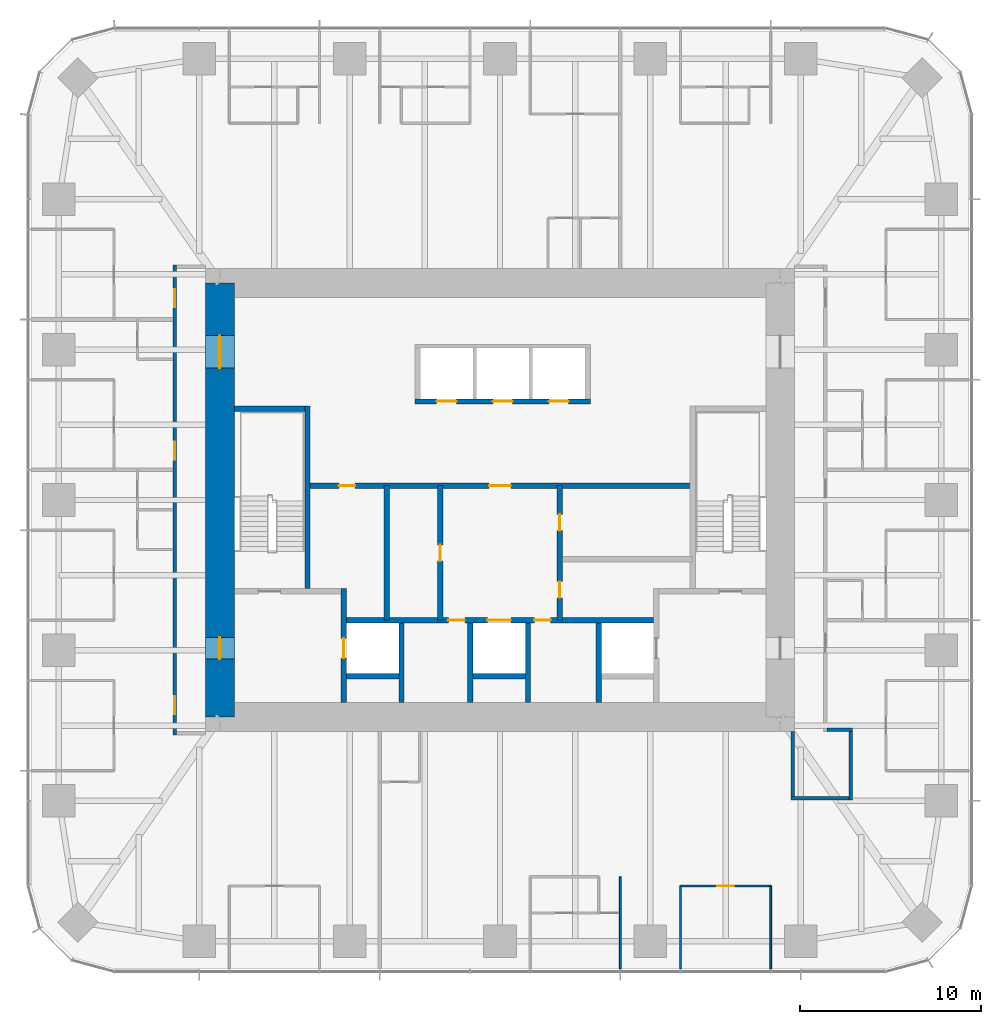
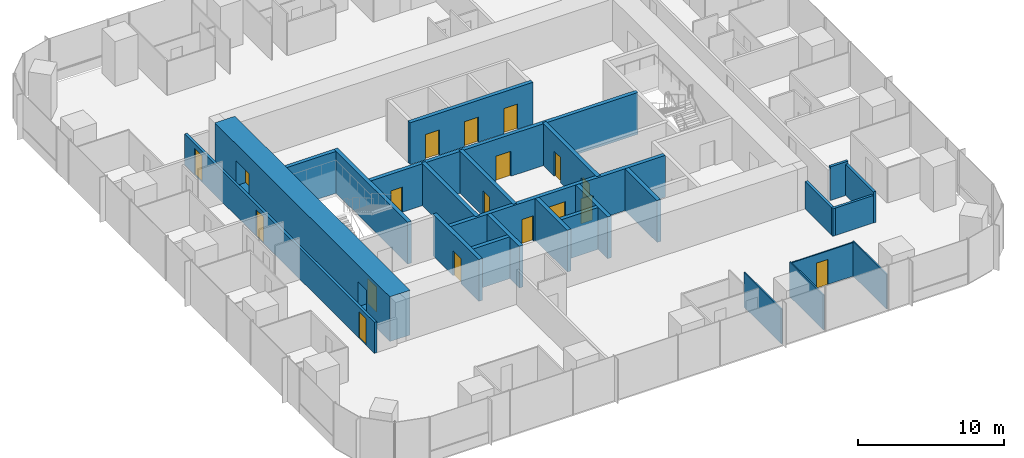
# One storey, part 9 of 12: 25 walls, 18 doors, 18 openings.
"""IFC4 building model written with IfcOpenShell, lengths in metres."""

import ifcopenshell
import ifcopenshell.guid

model = None  # the IFC model being written
_history = None  # IfcOwnerHistory: only IFC2X3 demands one
_inside = {}  # id of a spatial element -> (the spatial element, [elements in it])
_under = {}  # id of a project, library or spatial element -> (it, [spatial elements below it])
_declared = {}  # id of a project -> (the project, [libraries it declares])
_typed = {}  # id of a type object -> (the type object, [elements of that type])
_made_of = {}  # id of a material, layer set ... -> (it, [elements and type objects made of it])


def new_model(schema):
    """Start an empty IFC model of exactly this schema.

    Asked for "IFC4X3", IfcOpenShell would pick the latest addendum, in which some entities
    have other attributes; the version numbers below select the first issue.
    IFC2X3 requires an IfcOwnerHistory on every rooted entity: one is made here for all.
    """
    global model, _history
    if schema == "IFC4X3":
        model = ifcopenshell.file(schema_version=(4, 3, 0, 0))
    else:
        model = ifcopenshell.file(schema=schema)
    _inside.clear()
    _under.clear()
    _declared.clear()
    _typed.clear()
    _made_of.clear()
    _history = None
    if model.schema == "IFC2X3":
        org = make("IfcOrganization", Name="unknown")
        user = make(
            "IfcPersonAndOrganization",
            ThePerson=make("IfcPerson", FamilyName="unknown"),
            TheOrganization=org,
        )
        app = make(
            "IfcApplication",
            ApplicationDeveloper=org,
            Version="unknown",
            ApplicationFullName="unknown",
            ApplicationIdentifier="unknown",
        )
        _history = make(
            "IfcOwnerHistory",
            OwningUser=user,
            OwningApplication=app,
            ChangeAction="ADDED",
            CreationDate=0,
        )
    return model


def make(cls, **values):
    """One entity of the class cls with the attributes given. An attribute that is None is left unset."""
    return model.create_entity(
        cls, **{name: value for name, value in values.items() if value is not None}
    )


def rooted(cls, **values):
    """An entity with a GlobalId (a new one), such as an element, a storey or a relation."""
    return make(cls, GlobalId=ifcopenshell.guid.new(), OwnerHistory=_history, **values)


def si_unit(unit_type, name, prefix=None):
    """IfcSIUnit, for example si_unit("LENGTHUNIT", "METRE", prefix="MILLI")."""
    return make("IfcSIUnit", UnitType=unit_type, Prefix=prefix, Name=name)


def assignment(units):
    """IfcUnitAssignment: the units of a project."""
    return None if units is None else make("IfcUnitAssignment", Units=units)


def point(xyz):
    """IfcCartesianPoint."""
    return None if xyz is None else make("IfcCartesianPoint", Coordinates=xyz)


def direction(xyz):
    """IfcDirection."""
    return None if xyz is None else make("IfcDirection", DirectionRatios=xyz)


def frame(location, z_axis=None, x_axis=None):
    """IfcAxis2Placement3D, a coordinate frame: its origin and axes. An axis left out is left unset."""
    return make(
        "IfcAxis2Placement3D",
        Location=point(location),
        Axis=direction(z_axis),
        RefDirection=direction(x_axis),
    )


def frame_2d(location, x_axis=None):
    """IfcAxis2Placement2D, a coordinate frame in the plane: its origin and x axis."""
    return make(
        "IfcAxis2Placement2D", Location=point(location), RefDirection=direction(x_axis)
    )


def origin():
    """The frame at (0, 0, 0) with its axes left unset."""
    return frame((0.0, 0.0, 0.0))


def place(relative_to, where):
    """IfcLocalPlacement: puts the frame where relative to a parent placement (None: the world)."""
    return make(
        "IfcLocalPlacement", PlacementRelTo=relative_to, RelativePlacement=where
    )


def context(
    kind, dimensions, precision=None, world=None, true_north=None, identifier=None
):
    """IfcGeometricRepresentationContext, for example the 3D "Model" context."""
    return make(
        "IfcGeometricRepresentationContext",
        ContextIdentifier=identifier,
        ContextType=kind,
        CoordinateSpaceDimension=dimensions,
        Precision=precision,
        WorldCoordinateSystem=world,
        TrueNorth=true_north,
    )


def subcontext(parent, identifier, kind, view, scale=None):
    """IfcGeometricRepresentationSubContext, for example "Body" below "Model"."""
    return make(
        "IfcGeometricRepresentationSubContext",
        ContextIdentifier=identifier,
        ContextType=kind,
        ParentContext=parent,
        TargetScale=scale,
        TargetView=view,
    )


def project(units=None, contexts=None):
    """IfcProject with its units and contexts."""
    return rooted(
        "IfcProject",
        Name="project",
        RepresentationContexts=contexts,
        UnitsInContext=assignment(units),
    )


def spatial(cls, under=None, at=None, **own):
    """A site, building, storey or space (cls), placed at a placement, below another one or the project."""
    s = rooted(cls, ObjectPlacement=at, **own)
    if under is not None:
        _under.setdefault(under.id(), (under, []))[1].append(s)
    return s


def profile(cls, at=None, kind="AREA", **sizes):
    """A parametric profile (cls). Its sizes go by their IFC names, for example OverallWidth=200.0."""
    return make(cls, ProfileType=kind, Position=at, **sizes)


def rectangle(**sizes):
    """IfcRectangleProfileDef."""
    return profile("IfcRectangleProfileDef", **sizes)


def extrude(swept, where, along, depth):
    """IfcExtrudedAreaSolid: the profile swept, set in the frame where, extruded along a direction by depth."""
    return make(
        "IfcExtrudedAreaSolid",
        SweptArea=swept,
        Position=where,
        ExtrudedDirection=direction(along),
        Depth=depth,
    )


def shape(context_of_items, identifier, shape_type, items):
    """IfcShapeRepresentation: the items that make up one representation, for example the "Body"."""
    return make(
        "IfcShapeRepresentation",
        ContextOfItems=context_of_items,
        RepresentationIdentifier=identifier,
        RepresentationType=shape_type,
        Items=items,
    )


def material(Name=None, Category=None):
    """IfcMaterial."""
    return make("IfcMaterial", Name=Name, Category=Category)


def layer(
    of_material, thickness, ventilated=None, Name=None, Category=None, Priority=None
):
    """IfcMaterialLayer: one layer of a wall or slab, of a material (None: an air gap)."""
    return make(
        "IfcMaterialLayer",
        Material=of_material,
        LayerThickness=thickness,
        IsVentilated=ventilated,
        Name=Name,
        Category=Category,
        Priority=Priority,
    )


def layer_set(layers, Name=None):
    """IfcMaterialLayerSet."""
    return make("IfcMaterialLayerSet", MaterialLayers=layers, LayerSetName=Name)


def made_of(thing, what):
    """Note that an element or type object is made of a material, layer set ...; save() writes the relation."""
    if what is not None:
        _made_of.setdefault(what.id(), (what, []))[1].append(thing)
    return thing


def type_object(cls, material=None, **own):
    """A type object (cls), such as IfcWallType, which elements share."""
    return made_of(rooted(cls, **own), material)


def element(
    cls,
    number,
    at=None,
    inside=None,
    cuts=None,
    type_object=None,
    material=None,
    context=None,
    identifier="Body",
    shape_type=None,
    held_by="IfcProductDefinitionShape",
    body=None,
    shapes=None,
    **own,
):
    """One element of the class cls, such as IfcWall. Its Tag is "e" and its number.

    at: its placement. inside: the storey or other place that contains it. cuts: it is an
    opening in that element (IfcRelVoidsElement). A single representation is given by context,
    identifier, shape_type and body (its items); several are given by shapes. held_by: the class
    of the entity that holds the representations. save() writes the other relations.
    """
    e = rooted(cls, Tag="e%d" % number, ObjectPlacement=at, **own)
    if body is not None:
        shapes = [shape(context, identifier, shape_type, body)]
    if shapes is not None:
        e.Representation = make(held_by, Representations=shapes)
    if inside is not None:
        _inside.setdefault(inside.id(), (inside, []))[1].append(e)
    if cuts is not None:
        rooted(
            "IfcRelVoidsElement", RelatingBuildingElement=cuts, RelatedOpeningElement=e
        )
    if type_object is not None:
        _typed.setdefault(type_object.id(), (type_object, []))[1].append(e)
    return made_of(e, material)


def fill(opening, filler):
    """IfcRelFillsElement: the door or window that sits in an opening."""
    return rooted(
        "IfcRelFillsElement",
        RelatingOpeningElement=opening,
        RelatedBuildingElement=filler,
    )


def aggregate(whole, parts):
    """IfcRelAggregates: a whole, such as a stair, and the parts it consists of."""
    return rooted("IfcRelAggregates", RelatingObject=whole, RelatedObjects=parts)


def save(model, path):
    """Write the relations noted so far, then the file.

    IfcRelAggregates (storeys below a building ...), IfcRelContainedInSpatialStructure (elements
    in a storey), IfcRelDefinesByType, IfcRelAssociatesMaterial and IfcRelDeclares: one each for
    every whole, place, type object, material and project.
    """
    for whole, parts in _under.values():
        aggregate(whole, parts)
    for where, things in _inside.values():
        rooted(
            "IfcRelContainedInSpatialStructure",
            RelatedElements=things,
            RelatingStructure=where,
        )
    for kind, things in _typed.values():
        rooted("IfcRelDefinesByType", RelatedObjects=things, RelatingType=kind)
    for what, things in _made_of.values():
        rooted("IfcRelAssociatesMaterial", RelatedObjects=things, RelatingMaterial=what)
    for by, libraries in _declared.values():
        rooted("IfcRelDeclares", RelatingContext=by, RelatedDefinitions=libraries)
    model.write(path)


model = new_model("IFC4")

# Units and contexts
model_context = context("Model", 3, precision=1e-05, world=origin(), true_north=direction((0.0, 1.0)))
body_context = subcontext(model_context, "Body", "Model", "MODEL_VIEW")
ifc_project = project(units=[si_unit("LENGTHUNIT", "METRE"), si_unit("AREAUNIT", "SQUARE_METRE"), si_unit("VOLUMEUNIT", "CUBIC_METRE"), si_unit("PLANEANGLEUNIT", "RADIAN"), si_unit("MASSUNIT", "GRAM", prefix="KILO")], contexts=[model_context])

# Site, building, storey
site_placement = place(None, origin())
site = spatial("IfcSite", under=ifc_project, at=site_placement, CompositionType="ELEMENT")
building_placement = place(site_placement, origin())
building = spatial("IfcBuilding", under=site, at=building_placement, Name="Khuree Lantern Residences", CompositionType="ELEMENT")
storey_placement = place(building_placement, frame((0.0, 0.0, 237.0)))
storey = spatial("IfcBuildingStorey", under=building, at=storey_placement, Name="L59", CompositionType="ELEMENT", Elevation=237.0)

# Wall, opening, door
ifc_material_1 = material(Name="Dense concrete blockwork", Category="masonry")
ifc_layer_1 = layer(ifc_material_1, 0.300048828125)
ifc_layer_set_1 = layer_set([ifc_layer_1], Name="CORE PARTITION WALL CPW300 EI 120")
wall_type_1 = type_object("IfcWallType", Name="CORE PARTITION WALL CPW300 EI 120", PredefinedType="PARTITIONING", material=ifc_layer_set_1)
wall_1_placement = place(storey_placement, frame((-8.64990234375, -11.199951171875, 0.0), z_axis=(0.0, 0.0, 1.0), x_axis=(0.0, 1.0, 0.0)))
wall_1 = element("IfcWall", 1, at=wall_1_placement, inside=storey, type_object=wall_type_1, Name="L59 CORE WALL FL1W", PredefinedType="PARTITIONING", context=body_context, shape_type="SweptSolid", body=[
    extrude(rectangle(XDim=6.300048828125, YDim=0.300048828125, at=frame_2d((3.14990234375, 0.0))), origin(), (0.0, 0.0, 1.0), 3.5),
])
opening_1_placement = place(wall_1_placement, frame((2.449951171875, 0.0, 0.0)))
opening_1 = element("IfcOpeningElement", 2, at=opening_1_placement, cuts=wall_1, Name="Opening 59-007", PredefinedType="OPENING", context=body_context, shape_type="SweptSolid", body=[
    extrude(rectangle(XDim=1.10009765625, YDim=2.10009765625, at=frame_2d((0.550048828125, 1.050048828125))), frame((0.0, 0.16015625, 0.0), z_axis=(0.0, -1.0, 0.0), x_axis=(1.0, 0.0, 0.0)), (0.0, 0.0, 1.0), 0.320068359375),
])
ifc_material_2 = material(Name="Stainless steel lift landing door", Category="steel")
door_type_1 = type_object("IfcDoorType", Name="LIFT LANDING DOOR 1100X2100 E 120", OperationType="DOUBLE_DOOR_SLIDING", PredefinedType="DOOR", material=ifc_material_2)
door_1_placement = place(opening_1_placement, origin())
door_1 = element("IfcDoor", 3, at=door_1_placement, inside=storey, type_object=door_type_1, Name="Landing door FL1 59-007", OperationType="DOUBLE_DOOR_SLIDING", OverallHeight=2.10009765625, OverallWidth=1.10009765625, PredefinedType="DOOR", context=body_context, shape_type="SweptSolid", body=[
    extrude(rectangle(XDim=1.10009765625, YDim=2.10009765625, at=frame_2d((0.550048828125, 1.050048828125))), frame((0.0, 0.02490234375, 0.0), z_axis=(0.0, -1.0, 0.0), x_axis=(1.0, 0.0, 0.0)), (0.0, 0.0, 1.0), 0.050048828125),
])
fill(opening_1, door_1)

# Wall, openings, doors
wall_2_placement = place(storey_placement, frame((-8.5, -6.64990234375, 0.0), z_axis=(0.0, 0.0, 1.0), x_axis=(1.0, 0.0, 0.0)))
wall_2 = element("IfcWall", 4, at=wall_2_placement, inside=storey, type_object=wall_type_1, Name="L59 CORE WALL FLROW", PredefinedType="PARTITIONING", context=body_context, shape_type="SweptSolid", body=[
    extrude(rectangle(XDim=17.0, YDim=0.300048828125, at=frame_2d((8.5, 0.0))), origin(), (0.0, 0.0, 1.0), 3.5),
])
opening_2_placement = place(wall_2_placement, frame((7.800048828125, 0.0, 0.0)))
opening_2 = element("IfcOpeningElement", 5, at=opening_2_placement, cuts=wall_2, Name="Opening 59-012", PredefinedType="OPENING", context=body_context, shape_type="SweptSolid", body=[
    extrude(rectangle(XDim=1.300048828125, YDim=2.39990234375, at=frame_2d((0.64990234375, 1.199951171875))), frame((0.0, 0.16015625, 0.0), z_axis=(0.0, -1.0, 0.0), x_axis=(1.0, 0.0, 0.0)), (0.0, 0.0, 1.0), 0.320068359375),
])
opening_3_placement = place(wall_2_placement, frame((5.64990234375, 0.0, 0.0)))
opening_3 = element("IfcOpeningElement", 6, at=opening_3_placement, cuts=wall_2, Name="Opening 59-014", PredefinedType="OPENING", context=body_context, shape_type="SweptSolid", body=[
    extrude(rectangle(XDim=0.89990234375, YDim=2.10009765625, at=frame_2d((0.449951171875, 1.050048828125))), frame((0.0, 0.16015625, 0.0), z_axis=(0.0, -1.0, 0.0), x_axis=(1.0, 0.0, 0.0)), (0.0, 0.0, 1.0), 0.320068359375),
])
opening_4_placement = place(wall_2_placement, frame((10.39990234375, 0.0, 0.0)))
opening_4 = element("IfcOpeningElement", 7, at=opening_4_placement, cuts=wall_2, Name="Opening 59-015", PredefinedType="OPENING", context=body_context, shape_type="SweptSolid", body=[
    extrude(rectangle(XDim=0.89990234375, YDim=2.10009765625, at=frame_2d((0.449951171875, 1.050048828125))), frame((0.0, 0.16015625, 0.0), z_axis=(0.0, -1.0, 0.0), x_axis=(1.0, 0.0, 0.0)), (0.0, 0.0, 1.0), 0.320068359375),
])
ifc_material_3 = material(Name="Steel door leaf in steel frame", Category="steel")
door_type_2 = type_object("IfcDoorType", Name="DOOR 900X2100 EI 60", OperationType="SINGLE_SWING_LEFT", PredefinedType="DOOR", material=ifc_material_3)
door_2_placement = place(opening_3_placement, origin())
door_2 = element("IfcDoor", 8, at=door_2_placement, inside=storey, type_object=door_type_2, Name="Refuse chute room door 59-014", OperationType="SINGLE_SWING_LEFT", OverallHeight=2.10009765625, OverallWidth=0.89990234375, PredefinedType="DOOR", context=body_context, shape_type="SweptSolid", body=[
    extrude(rectangle(XDim=0.89990234375, YDim=2.10009765625, at=frame_2d((0.449951171875, 1.050048828125))), frame((0.0, 0.02490234375, 0.0), z_axis=(0.0, -1.0, 0.0), x_axis=(1.0, 0.0, 0.0)), (0.0, 0.0, 1.0), 0.050048828125),
])
fill(opening_3, door_2)
door_type_3 = type_object("IfcDoorType", Name="DOOR 900X2100 EI 60 RIGHT HAND", OperationType="SINGLE_SWING_RIGHT", PredefinedType="DOOR", material=ifc_material_3)
door_3_placement = place(opening_4_placement, origin())
door_3 = element("IfcDoor", 9, at=door_3_placement, inside=storey, type_object=door_type_3, Name="Electrical and plumbing riser door 59-015", OperationType="SINGLE_SWING_RIGHT", OverallHeight=2.10009765625, OverallWidth=0.89990234375, PredefinedType="DOOR", context=body_context, shape_type="SweptSolid", body=[
    extrude(rectangle(XDim=0.89990234375, YDim=2.10009765625, at=frame_2d((0.449951171875, 1.050048828125))), frame((0.0, 0.02490234375, 0.0), z_axis=(0.0, -1.0, 0.0), x_axis=(1.0, 0.0, 0.0)), (0.0, 0.0, 1.0), 0.050048828125),
])
fill(opening_4, door_3)
door_type_4 = type_object("IfcDoorType", Name="LIFT LANDING DOOR 1300X2400 E 60", OperationType="DOUBLE_DOOR_SLIDING", PredefinedType="DOOR", material=ifc_material_2)
door_4_placement = place(opening_2_placement, origin())
door_4 = element("IfcDoor", 10, at=door_4_placement, inside=storey, type_object=door_type_4, Name="Landing door SL1 59-012", OperationType="DOUBLE_DOOR_SLIDING", OverallHeight=2.39990234375, OverallWidth=1.300048828125, PredefinedType="DOOR", context=body_context, shape_type="SweptSolid", body=[
    extrude(rectangle(XDim=1.300048828125, YDim=2.39990234375, at=frame_2d((0.64990234375, 1.199951171875))), frame((0.0, 0.02490234375, 0.0), z_axis=(0.0, -1.0, 0.0), x_axis=(1.0, 0.0, 0.0)), (0.0, 0.0, 1.0), 0.050048828125),
])
fill(opening_2, door_4)

# Walls
for number, where, z_axis, x_axis, name in (
    (11, (-5.449951171875, -11.199951171875, 0.0), (0.0, 0.0, 1.0), (0.0, 1.0, 0.0), "L59 CORE WALL FL1E"),
    (12, (-1.64990234375, -11.199951171875, 0.0), (0.0, 0.0, 1.0), (0.0, 1.0, 0.0), "L59 CORE WALL SL1W"),
    (13, (1.550048828125, -11.199951171875, 0.0), (0.0, 0.0, 1.0), (0.0, 1.0, 0.0), "L59 CORE WALL SL1E"),
    (14, (5.449951171875, -11.199951171875, 0.0), (0.0, 0.0, 1.0), (0.0, 1.0, 0.0), "L59 CORE WALL FL2W"),
):
    element("IfcWall", number, at=place(storey_placement, frame(where, z_axis=z_axis, x_axis=x_axis)), inside=storey, type_object=wall_type_1, Name=name, PredefinedType="PARTITIONING", context=body_context, shape_type="SweptSolid", body=[
        extrude(rectangle(XDim=4.39990234375, YDim=0.300048828125, at=frame_2d((2.199951171875, 0.0))), origin(), (0.0, 0.0, 1.0), 3.5),
    ])
for number, where, z_axis, x_axis, name in (
    (15, (-8.5, -9.75, 0.0), (0.0, 0.0, 1.0), (1.0, 0.0, 0.0), "L59 CORE WALL FL1S"),
    (16, (-1.5, -9.75, 0.0), (0.0, 0.0, 1.0), (1.0, 0.0, 0.0), "L59 CORE WALL SL1S"),
):
    element("IfcWall", number, at=place(storey_placement, frame(where, z_axis=z_axis, x_axis=x_axis)), inside=storey, type_object=wall_type_1, Name=name, PredefinedType="PARTITIONING", context=body_context, shape_type="SweptSolid", body=[
        extrude(rectangle(XDim=2.89990234375, YDim=0.300048828125, at=frame_2d((1.449951171875, 0.0))), origin(), (0.0, 0.0, 1.0), 3.5),
    ])

# Wall, openings, doors
wall_3_placement = place(storey_placement, frame((-4.699951171875, 5.449951171875, 0.0), z_axis=(0.0, 0.0, 1.0), x_axis=(1.0, 0.0, 0.0)))
wall_3 = element("IfcWall", 17, at=wall_3_placement, inside=storey, type_object=wall_type_1, Name="L59 CORE WALL PHS", PredefinedType="PARTITIONING", context=body_context, shape_type="SweptSolid", body=[
    extrude(rectangle(XDim=9.699951171875, YDim=0.300048828125, at=frame_2d((4.85009765625, 0.0))), origin(), (0.0, 0.0, 1.0), 3.5),
])
opening_5_placement = place(wall_3_placement, frame((1.199951171875, 0.0, 0.0)))
opening_5 = element("IfcOpeningElement", 18, at=opening_5_placement, cuts=wall_3, Name="Opening 59-009", PredefinedType="OPENING", context=body_context, shape_type="SweptSolid", body=[
    extrude(rectangle(XDim=1.10009765625, YDim=2.10009765625, at=frame_2d((0.550048828125, 1.050048828125))), frame((0.0, 0.16015625, 0.0), z_axis=(0.0, -1.0, 0.0), x_axis=(1.0, 0.0, 0.0)), (0.0, 0.0, 1.0), 0.320068359375),
])
opening_6_placement = place(wall_3_placement, frame((4.300048828125, 0.0, 0.0)))
opening_6 = element("IfcOpeningElement", 19, at=opening_6_placement, cuts=wall_3, Name="Opening 59-010", PredefinedType="OPENING", context=body_context, shape_type="SweptSolid", body=[
    extrude(rectangle(XDim=1.10009765625, YDim=2.10009765625, at=frame_2d((0.550048828125, 1.050048828125))), frame((0.0, 0.16015625, 0.0), z_axis=(0.0, -1.0, 0.0), x_axis=(1.0, 0.0, 0.0)), (0.0, 0.0, 1.0), 0.320068359375),
])
opening_7_placement = place(wall_3_placement, frame((7.39990234375, 0.0, 0.0)))
opening_7 = element("IfcOpeningElement", 20, at=opening_7_placement, cuts=wall_3, Name="Opening 59-011", PredefinedType="OPENING", context=body_context, shape_type="SweptSolid", body=[
    extrude(rectangle(XDim=1.10009765625, YDim=2.10009765625, at=frame_2d((0.550048828125, 1.050048828125))), frame((0.0, 0.16015625, 0.0), z_axis=(0.0, -1.0, 0.0), x_axis=(1.0, 0.0, 0.0)), (0.0, 0.0, 1.0), 0.320068359375),
])
door_type_5 = type_object("IfcDoorType", Name="LIFT LANDING DOOR 1100X2100 E 60", OperationType="DOUBLE_DOOR_SLIDING", PredefinedType="DOOR", material=ifc_material_2)
door_5_placement = place(opening_5_placement, origin())
door_5 = element("IfcDoor", 21, at=door_5_placement, inside=storey, type_object=door_type_5, Name="Landing door PH1 59-009", OperationType="DOUBLE_DOOR_SLIDING", OverallHeight=2.10009765625, OverallWidth=1.10009765625, PredefinedType="DOOR", context=body_context, shape_type="SweptSolid", body=[
    extrude(rectangle(XDim=1.10009765625, YDim=2.10009765625, at=frame_2d((0.550048828125, 1.050048828125))), frame((0.0, 0.02490234375, 0.0), z_axis=(0.0, -1.0, 0.0), x_axis=(1.0, 0.0, 0.0)), (0.0, 0.0, 1.0), 0.050048828125),
])
fill(opening_5, door_5)
door_6_placement = place(opening_6_placement, origin())
door_6 = element("IfcDoor", 22, at=door_6_placement, inside=storey, type_object=door_type_5, Name="Landing door PH2 59-010", OperationType="DOUBLE_DOOR_SLIDING", OverallHeight=2.10009765625, OverallWidth=1.10009765625, PredefinedType="DOOR", context=body_context, shape_type="SweptSolid", body=[
    extrude(rectangle(XDim=1.10009765625, YDim=2.10009765625, at=frame_2d((0.550048828125, 1.050048828125))), frame((0.0, 0.02490234375, 0.0), z_axis=(0.0, -1.0, 0.0), x_axis=(1.0, 0.0, 0.0)), (0.0, 0.0, 1.0), 0.050048828125),
])
fill(opening_6, door_6)
door_7_placement = place(opening_7_placement, origin())
door_7 = element("IfcDoor", 23, at=door_7_placement, inside=storey, type_object=door_type_5, Name="Landing door PH3 59-011", OperationType="DOUBLE_DOOR_SLIDING", OverallHeight=2.10009765625, OverallWidth=1.10009765625, PredefinedType="DOOR", context=body_context, shape_type="SweptSolid", body=[
    extrude(rectangle(XDim=1.10009765625, YDim=2.10009765625, at=frame_2d((0.550048828125, 1.050048828125))), frame((0.0, 0.02490234375, 0.0), z_axis=(0.0, -1.0, 0.0), x_axis=(1.0, 0.0, 0.0)), (0.0, 0.0, 1.0), 0.050048828125),
])
fill(opening_7, door_7)

wall_4_placement = place(storey_placement, frame((-10.64990234375, 0.800048828125, 0.0), z_axis=(0.0, 0.0, 1.0), x_axis=(1.0, 0.0, 0.0)))
wall_4 = element("IfcWall", 24, at=wall_4_placement, inside=storey, type_object=wall_type_1, Name="L59 CORE WALL LLS", PredefinedType="PARTITIONING", context=body_context, shape_type="SweptSolid", body=[
    extrude(rectangle(XDim=21.2998046875, YDim=0.300048828125, at=frame_2d((10.64990234375, 0.0))), origin(), (0.0, 0.0, 1.0), 3.5),
])
opening_8_placement = place(wall_4_placement, frame((10.050048828125, 0.0, 0.0)))
opening_8 = element("IfcOpeningElement", 25, at=opening_8_placement, cuts=wall_4, Name="Opening 59-013", PredefinedType="OPENING", context=body_context, shape_type="SweptSolid", body=[
    extrude(rectangle(XDim=1.199951171875, YDim=2.10009765625, at=frame_2d((0.60009765625, 1.050048828125))), frame((0.0, 0.16015625, 0.0), z_axis=(0.0, -1.0, 0.0), x_axis=(1.0, 0.0, 0.0)), (0.0, 0.0, 1.0), 0.320068359375),
])
opening_9_placement = place(wall_4_placement, frame((1.739990234375, 0.0, 0.0)))
opening_9 = element("IfcOpeningElement", 26, at=opening_9_placement, cuts=wall_4, Name="Opening 59-017", PredefinedType="OPENING", context=body_context, shape_type="SweptSolid", body=[
    extrude(rectangle(XDim=0.89990234375, YDim=2.10009765625, at=frame_2d((0.449951171875, 1.050048828125))), frame((0.0, 0.16015625, 0.0), z_axis=(0.0, -1.0, 0.0), x_axis=(1.0, 0.0, 0.0)), (0.0, 0.0, 1.0), 0.320068359375),
])
door_type_6 = type_object("IfcDoorType", Name="DOOR 1200X2100 EI 60", OperationType="SINGLE_SWING_LEFT", PredefinedType="DOOR", material=ifc_material_3)
door_8_placement = place(opening_8_placement, origin())
door_8 = element("IfcDoor", 27, at=door_8_placement, inside=storey, type_object=door_type_6, Name="Service lift lobby door 59-013", OperationType="SINGLE_SWING_LEFT", OverallHeight=2.10009765625, OverallWidth=1.199951171875, PredefinedType="DOOR", context=body_context, shape_type="SweptSolid", body=[
    extrude(rectangle(XDim=1.199951171875, YDim=2.10009765625, at=frame_2d((0.60009765625, 1.050048828125))), frame((0.0, 0.02490234375, 0.0), z_axis=(0.0, -1.0, 0.0), x_axis=(1.0, 0.0, 0.0)), (0.0, 0.0, 1.0), 0.050048828125),
])
fill(opening_8, door_8)
ifc_material_4 = material(Name="Timber door leaf in hardwood frame", Category="wood")
door_type_7 = type_object("IfcDoorType", Name="DOOR 900X2100", OperationType="SINGLE_SWING_LEFT", PredefinedType="DOOR", material=ifc_material_4)
door_9_placement = place(opening_9_placement, origin())
door_9 = element("IfcDoor", 28, at=door_9_placement, inside=storey, type_object=door_type_7, Name="Residents' store door 59-017", OperationType="SINGLE_SWING_LEFT", OverallHeight=2.10009765625, OverallWidth=0.89990234375, PredefinedType="DOOR", context=body_context, shape_type="SweptSolid", body=[
    extrude(rectangle(XDim=0.89990234375, YDim=2.10009765625, at=frame_2d((0.449951171875, 1.050048828125))), frame((0.0, 0.02490234375, 0.0), z_axis=(0.0, -1.0, 0.0), x_axis=(1.0, 0.0, 0.0)), (0.0, 0.0, 1.0), 0.050048828125),
])
fill(opening_9, door_9)

# Wall, opening, door
wall_5_placement = place(storey_placement, frame((-3.300048828125, -6.64990234375, 0.0), z_axis=(0.0, 0.0, 1.0), x_axis=(0.0, 1.0, 0.0)))
wall_5 = element("IfcWall", 29, at=wall_5_placement, inside=storey, type_object=wall_type_1, Name="L59 CORE WALL SVW", PredefinedType="PARTITIONING", context=body_context, shape_type="SweptSolid", body=[
    extrude(rectangle(XDim=7.449951171875, YDim=0.300048828125, at=frame_2d((3.72509765625, 0.0))), origin(), (0.0, 0.0, 1.0), 3.5),
])
opening_10_placement = place(wall_5_placement, frame((3.27490234375, 0.0, 0.0)))
opening_10 = element("IfcOpeningElement", 30, at=opening_10_placement, cuts=wall_5, Name="Opening 59-016", PredefinedType="OPENING", context=body_context, shape_type="SweptSolid", body=[
    extrude(rectangle(XDim=0.89990234375, YDim=2.10009765625, at=frame_2d((0.449951171875, 1.050048828125))), frame((0.0, 0.16015625, 0.0), z_axis=(0.0, -1.0, 0.0), x_axis=(1.0, 0.0, 0.0)), (0.0, 0.0, 1.0), 0.320068359375),
])
door_10_placement = place(opening_10_placement, origin())
door_10 = element("IfcDoor", 31, at=door_10_placement, inside=storey, type_object=door_type_7, Name="Bulky waste store door 59-016", OperationType="SINGLE_SWING_LEFT", OverallHeight=2.10009765625, OverallWidth=0.89990234375, PredefinedType="DOOR", context=body_context, shape_type="SweptSolid", body=[
    extrude(rectangle(XDim=0.89990234375, YDim=2.10009765625, at=frame_2d((0.449951171875, 1.050048828125))), frame((0.0, 0.02490234375, 0.0), z_axis=(0.0, -1.0, 0.0), x_axis=(1.0, 0.0, 0.0)), (0.0, 0.0, 1.0), 0.050048828125),
])
fill(opening_10, door_10)

# Wall, openings, doors
wall_6_placement = place(storey_placement, frame((3.300048828125, -6.64990234375, 0.0), z_axis=(0.0, 0.0, 1.0), x_axis=(0.0, 1.0, 0.0)))
wall_6 = element("IfcWall", 32, at=wall_6_placement, inside=storey, type_object=wall_type_1, Name="L59 CORE WALL SVE", PredefinedType="PARTITIONING", context=body_context, shape_type="SweptSolid", body=[
    extrude(rectangle(XDim=7.449951171875, YDim=0.300048828125, at=frame_2d((3.72509765625, 0.0))), origin(), (0.0, 0.0, 1.0), 3.5),
])
opening_11_placement = place(wall_6_placement, frame((1.23095703125, 0.0, 0.0)))
opening_11 = element("IfcOpeningElement", 33, at=opening_11_placement, cuts=wall_6, Name="Opening 59-018", PredefinedType="OPENING", context=body_context, shape_type="SweptSolid", body=[
    extrude(rectangle(XDim=0.89990234375, YDim=2.10009765625, at=frame_2d((0.449951171875, 1.050048828125))), frame((0.0, 0.16015625, 0.0), z_axis=(0.0, -1.0, 0.0), x_axis=(1.0, 0.0, 0.0)), (0.0, 0.0, 1.0), 0.320068359375),
])
opening_12_placement = place(wall_6_placement, frame((4.9560546875, 0.0, 0.0)))
opening_12 = element("IfcOpeningElement", 34, at=opening_12_placement, cuts=wall_6, Name="Opening 59-019", PredefinedType="OPENING", context=body_context, shape_type="SweptSolid", body=[
    extrude(rectangle(XDim=0.89990234375, YDim=2.10009765625, at=frame_2d((0.449951171875, 1.050048828125))), frame((0.0, 0.16015625, 0.0), z_axis=(0.0, -1.0, 0.0), x_axis=(1.0, 0.0, 0.0)), (0.0, 0.0, 1.0), 0.320068359375),
])
door_11_placement = place(opening_11_placement, origin())
door_11 = element("IfcDoor", 35, at=door_11_placement, inside=storey, type_object=door_type_7, Name="Bulky waste store door 59-018", OperationType="SINGLE_SWING_LEFT", OverallHeight=2.10009765625, OverallWidth=0.89990234375, PredefinedType="DOOR", context=body_context, shape_type="SweptSolid", body=[
    extrude(rectangle(XDim=0.89990234375, YDim=2.10009765625, at=frame_2d((0.449951171875, 1.050048828125))), frame((0.0, 0.02490234375, 0.0), z_axis=(0.0, -1.0, 0.0), x_axis=(1.0, 0.0, 0.0)), (0.0, 0.0, 1.0), 0.050048828125),
])
fill(opening_11, door_11)
door_type_8 = type_object("IfcDoorType", Name="DOOR 900X2100 RIGHT HAND", OperationType="SINGLE_SWING_RIGHT", PredefinedType="DOOR", material=ifc_material_4)
door_12_placement = place(opening_12_placement, origin())
door_12 = element("IfcDoor", 36, at=door_12_placement, inside=storey, type_object=door_type_8, Name="Residents' store door 59-019", OperationType="SINGLE_SWING_RIGHT", OverallHeight=2.10009765625, OverallWidth=0.89990234375, PredefinedType="DOOR", context=body_context, shape_type="SweptSolid", body=[
    extrude(rectangle(XDim=0.89990234375, YDim=2.10009765625, at=frame_2d((0.449951171875, 1.050048828125))), frame((0.0, 0.02490234375, 0.0), z_axis=(0.0, -1.0, 0.0), x_axis=(1.0, 0.0, 0.0)), (0.0, 0.0, 1.0), 0.050048828125),
])
fill(opening_12, door_12)

# Walls
wall_7_placement = place(storey_placement, frame((-6.27001953125, -6.64990234375, 0.0), z_axis=(0.0, 0.0, 1.0), x_axis=(0.0, 1.0, 0.0)))
element("IfcWall", 37, at=wall_7_placement, inside=storey, type_object=wall_type_1, Name="L59 CORE WALL WV", PredefinedType="PARTITIONING", context=body_context, shape_type="SweptSolid", body=[
    extrude(rectangle(XDim=7.449951171875, YDim=0.300048828125, at=frame_2d((3.72509765625, 0.0))), origin(), (0.0, 0.0, 1.0), 3.5),
])
ifc_material_5 = material(Name="Gypsum board on steel studs", Category="steel")
ifc_layer_2 = layer(ifc_material_5, 0.199951171875)
ifc_layer_set_2 = layer_set([ifc_layer_2], Name="CORRIDOR WALL CRW200 EI 60")
wall_type_2 = type_object("IfcWallType", Name="CORRIDOR WALL CRW200 EI 60", PredefinedType="PARTITIONING", material=ifc_layer_set_2)
wall_8_placement = place(storey_placement, frame((18.10009765625, -12.699951171875, 0.0), z_axis=(0.0, 0.0, 1.0), x_axis=(1.0, 0.0, 0.0)))
element("IfcWall", 38, at=wall_8_placement, inside=storey, type_object=wall_type_2, Name="L59 RESIDENTS LOUNGE WALL", PredefinedType="PARTITIONING", context=body_context, shape_type="SweptSolid", body=[
    extrude(rectangle(XDim=1.39990234375, YDim=0.199951171875, at=frame_2d((0.699951171875, 0.0))), origin(), (0.0, 0.0, 1.0), 2.81005859375),
])
wall_9_placement = place(storey_placement, frame((19.39990234375, -12.60009765625, 0.0), z_axis=(0.0, 0.0, 1.0), x_axis=(0.0, -1.0, 0.0)))
element("IfcWall", 39, at=wall_9_placement, inside=storey, type_object=wall_type_2, Name="L59 RESIDENTS LOUNGE WALL", PredefinedType="PARTITIONING", context=body_context, shape_type="SweptSolid", body=[
    extrude(rectangle(XDim=4.0, YDim=0.199951171875, at=frame_2d((2.0, 0.0))), origin(), (0.0, 0.0, 1.0), 2.60009765625),
])
wall_10_placement = place(storey_placement, frame((19.300048828125, -16.5, 0.0), z_axis=(0.0, 0.0, 1.0), x_axis=(-1.0, 0.0, 0.0)))
element("IfcWall", 40, at=wall_10_placement, inside=storey, type_object=wall_type_2, Name="L59 RESIDENTS LOUNGE WALL", PredefinedType="PARTITIONING", context=body_context, shape_type="SweptSolid", body=[
    extrude(rectangle(XDim=3.199951171875, YDim=0.199951171875, at=frame_2d((1.60009765625, 0.0))), origin(), (0.0, 0.0, 1.0), 2.300048828125),
])
wall_11_placement = place(storey_placement, frame((16.199951171875, -16.60009765625, 0.0), z_axis=(0.0, 0.0, 1.0), x_axis=(0.0, 1.0, 0.0)))
element("IfcWall", 41, at=wall_11_placement, inside=storey, type_object=wall_type_2, Name="L59 RESIDENTS LOUNGE WALL", PredefinedType="PARTITIONING", context=body_context, shape_type="SweptSolid", body=[
    extrude(rectangle(XDim=3.800048828125, YDim=0.199951171875, at=frame_2d((1.89990234375, 0.0))), origin(), (0.0, 0.0, 1.0), 2.300048828125),
])

# Wall, openings, doors
wall_12_placement = place(storey_placement, frame((-18.0, 13.0, 0.0), z_axis=(0.0, 0.0, 1.0), x_axis=(0.0, -1.0, 0.0)))
wall_12 = element("IfcWall", 42, at=wall_12_placement, inside=storey, type_object=wall_type_2, Name="L59 CORRIDOR WALL WEST 1", PredefinedType="PARTITIONING", context=body_context, shape_type="SweptSolid", body=[
    extrude(rectangle(XDim=26.0, YDim=0.199951171875, at=frame_2d((13.0, 0.0))), origin(), (0.0, 0.0, 1.0), 2.60009765625),
])
opening_13_placement = place(wall_12_placement, frame((1.35009765625, 0.0, 0.0)))
opening_13 = element("IfcOpeningElement", 43, at=opening_13_placement, cuts=wall_12, Name="Opening 59-038", PredefinedType="OPENING", context=body_context, shape_type="SweptSolid", body=[
    extrude(rectangle(XDim=1.0, YDim=2.199951171875, at=frame_2d((0.5, 1.10009765625))), frame((0.0, 0.10986328125, 0.0), z_axis=(0.0, -1.0, 0.0), x_axis=(1.0, 0.0, 0.0)), (0.0, 0.0, 1.0), 0.219970703125),
])
opening_14_placement = place(wall_12_placement, frame((9.785888671875, 0.0, 0.0)))
opening_14 = element("IfcOpeningElement", 44, at=opening_14_placement, cuts=wall_12, Name="Opening 59-041", PredefinedType="OPENING", context=body_context, shape_type="SweptSolid", body=[
    extrude(rectangle(XDim=1.0, YDim=2.199951171875, at=frame_2d((0.5, 1.10009765625))), frame((0.0, 0.10986328125, 0.0), z_axis=(0.0, -1.0, 0.0), x_axis=(1.0, 0.0, 0.0)), (0.0, 0.0, 1.0), 0.219970703125),
])
opening_15_placement = place(wall_12_placement, frame((23.85595703125, 0.0, 0.0)))
opening_15 = element("IfcOpeningElement", 45, at=opening_15_placement, cuts=wall_12, Name="Opening 59-047", PredefinedType="OPENING", context=body_context, shape_type="SweptSolid", body=[
    extrude(rectangle(XDim=1.0, YDim=2.199951171875, at=frame_2d((0.5, 1.10009765625))), frame((0.0, 0.10986328125, 0.0), z_axis=(0.0, -1.0, 0.0), x_axis=(1.0, 0.0, 0.0)), (0.0, 0.0, 1.0), 0.219970703125),
])
door_type_9 = type_object("IfcDoorType", Name="APARTMENT ENTRANCE DOOR 1000X2200 EI 30S", OperationType="SINGLE_SWING_LEFT", PredefinedType="DOOR", material=ifc_material_4)
door_13_placement = place(opening_13_placement, origin())
door_13 = element("IfcDoor", 46, at=door_13_placement, inside=storey, type_object=door_type_9, Name="Apartment 03 entrance door 59-038", OperationType="SINGLE_SWING_LEFT", OverallHeight=2.199951171875, OverallWidth=1.0, PredefinedType="DOOR", context=body_context, shape_type="SweptSolid", body=[
    extrude(rectangle(XDim=1.0, YDim=2.199951171875, at=frame_2d((0.5, 1.10009765625))), frame((0.0, 0.02490234375, 0.0), z_axis=(0.0, -1.0, 0.0), x_axis=(1.0, 0.0, 0.0)), (0.0, 0.0, 1.0), 0.050048828125),
])
fill(opening_13, door_13)
door_14_placement = place(opening_14_placement, origin())
door_14 = element("IfcDoor", 47, at=door_14_placement, inside=storey, type_object=door_type_9, Name="Apartment 04 entrance door 59-041", OperationType="SINGLE_SWING_LEFT", OverallHeight=2.199951171875, OverallWidth=1.0, PredefinedType="DOOR", context=body_context, shape_type="SweptSolid", body=[
    extrude(rectangle(XDim=1.0, YDim=2.199951171875, at=frame_2d((0.5, 1.10009765625))), frame((0.0, 0.02490234375, 0.0), z_axis=(0.0, -1.0, 0.0), x_axis=(1.0, 0.0, 0.0)), (0.0, 0.0, 1.0), 0.050048828125),
])
fill(opening_14, door_14)
door_type_10 = type_object("IfcDoorType", Name="APARTMENT ENTRANCE DOOR 1000X2200 EI 30S RIGHT HAND", OperationType="SINGLE_SWING_RIGHT", PredefinedType="DOOR", material=ifc_material_4)
door_15_placement = place(opening_15_placement, origin())
door_15 = element("IfcDoor", 48, at=door_15_placement, inside=storey, type_object=door_type_10, Name="Apartment 05 entrance door 59-047", OperationType="SINGLE_SWING_RIGHT", OverallHeight=2.199951171875, OverallWidth=1.0, PredefinedType="DOOR", context=body_context, shape_type="SweptSolid", body=[
    extrude(rectangle(XDim=1.0, YDim=2.199951171875, at=frame_2d((0.5, 1.10009765625))), frame((0.0, 0.02490234375, 0.0), z_axis=(0.0, -1.0, 0.0), x_axis=(1.0, 0.0, 0.0)), (0.0, 0.0, 1.0), 0.050048828125),
])
fill(opening_15, door_15)

ifc_material_6 = material(Name="Concrete C50/60", Category="concrete")
ifc_layer_3 = layer(ifc_material_6, 1.60009765625)
ifc_layer_set_3 = layer_set([ifc_layer_3], Name="CW1600-C50 CORE WALL C50 1600")
wall_type_3 = type_object("IfcWallType", Name="CW1600-C50 CORE WALL C50 1600", PredefinedType="SHEAR", material=ifc_layer_set_3)
wall_13_placement = place(storey_placement, frame((-15.5, -12.0, -0.25), z_axis=(0.0, 0.0, 1.0), x_axis=(0.0, 1.0, 0.0)))
wall_13 = element("IfcWall", 49, at=wall_13_placement, inside=storey, type_object=wall_type_3, Name="Core wall W", PredefinedType="SHEAR", context=body_context, shape_type="SweptSolid", body=[
    extrude(rectangle(XDim=24.0, YDim=1.60009765625, at=frame_2d((12.0, 0.0))), origin(), (0.0, 0.0, 1.0), 3.75),
])
opening_16_placement = place(wall_13_placement, frame((3.199951171875, 0.0, 0.25)))
opening_16 = element("IfcOpeningElement", 50, at=opening_16_placement, cuts=wall_13, Name="Opening 59-002", PredefinedType="OPENING", context=body_context, shape_type="SweptSolid", body=[
    extrude(rectangle(XDim=1.199951171875, YDim=2.10009765625, at=frame_2d((0.60009765625, 1.050048828125))), frame((0.0, 0.81005859375, 0.0), z_axis=(0.0, -1.0, 0.0), x_axis=(1.0, 0.0, 0.0)), (0.0, 0.0, 1.0), 1.6201171875),
])
opening_17_placement = place(wall_13_placement, frame((19.300048828125, 0.0, 0.25)))
opening_17 = element("IfcOpeningElement", 51, at=opening_17_placement, cuts=wall_13, Name="Opening 59-003", PredefinedType="OPENING", context=body_context, shape_type="SweptSolid", body=[
    extrude(rectangle(XDim=1.800048828125, YDim=2.10009765625, at=frame_2d((0.89990234375, 1.050048828125))), frame((0.0, 0.81005859375, 0.0), z_axis=(0.0, -1.0, 0.0), x_axis=(1.0, 0.0, 0.0)), (0.0, 0.0, 1.0), 1.6201171875),
])
door_type_11 = type_object("IfcDoorType", Name="LOBBY DOOR 1200X2100 EI 120", OperationType="SINGLE_SWING_LEFT", PredefinedType="DOOR", material=ifc_material_3)
door_16_placement = place(opening_16_placement, origin())
door_16 = element("IfcDoor", 52, at=door_16_placement, inside=storey, type_object=door_type_11, Name="Firefighting lobby door 59-002", OperationType="SINGLE_SWING_LEFT", OverallHeight=2.10009765625, OverallWidth=1.199951171875, PredefinedType="DOOR", context=body_context, shape_type="SweptSolid", body=[
    extrude(rectangle(XDim=1.199951171875, YDim=2.10009765625, at=frame_2d((0.60009765625, 1.050048828125))), frame((0.0, 0.02490234375, 0.0), z_axis=(0.0, -1.0, 0.0), x_axis=(1.0, 0.0, 0.0)), (0.0, 0.0, 1.0), 0.050048828125),
])
fill(opening_16, door_16)
door_type_12 = type_object("IfcDoorType", Name="LOBBY DOUBLE DOOR 1800X2100 EI 60", OperationType="DOUBLE_DOOR_SINGLE_SWING", PredefinedType="DOOR", material=ifc_material_3)
door_17_placement = place(opening_17_placement, origin())
door_17 = element("IfcDoor", 53, at=door_17_placement, inside=storey, type_object=door_type_12, Name="Lift lobby door 59-003", OperationType="DOUBLE_DOOR_SINGLE_SWING", OverallHeight=2.10009765625, OverallWidth=1.800048828125, PredefinedType="DOOR", context=body_context, shape_type="SweptSolid", body=[
    extrude(rectangle(XDim=1.800048828125, YDim=2.10009765625, at=frame_2d((0.89990234375, 1.050048828125))), frame((0.0, 0.02490234375, 0.0), z_axis=(0.0, -1.0, 0.0), x_axis=(1.0, 0.0, 0.0)), (0.0, 0.0, 1.0), 0.050048828125),
])
fill(opening_17, door_17)

# Walls
ifc_layer_4 = layer(ifc_material_5, 0.10009765625)
ifc_layer_set_4 = layer_set([ifc_layer_4], Name="PARTITION PT100")
wall_type_4 = type_object("IfcWallType", Name="PARTITION PT100", PredefinedType="PARTITIONING", material=ifc_layer_set_4)
wall_14_placement = place(storey_placement, frame((6.656005859375, -20.844970703125, 0.0), z_axis=(0.0, 0.0, 1.0), x_axis=(0.0, -1.0, 0.0)))
element("IfcWall", 54, at=wall_14_placement, inside=storey, type_object=wall_type_4, Name="L59 PARTITION 06", PredefinedType="PARTITIONING", context=body_context, shape_type="SweptSolid", body=[
    extrude(rectangle(XDim=5.10498046875, YDim=0.10009765625, at=frame_2d((2.552490234375, 0.0))), origin(), (0.0, 0.0, 1.0), 2.909912109375),
])
for number, where, z_axis, x_axis, name in (
    (55, (9.98388671875, -21.35009765625, 0.0), (0.0, 0.0, 1.0), (0.0, -1.0, 0.0), "L59 PARTITION 06"),
    (56, (14.97607421875, -21.35009765625, 0.0), (0.0, 0.0, 1.0), (0.0, -1.0, 0.0), "L59 PARTITION 06"),
):
    element("IfcWall", number, at=place(storey_placement, frame(where, z_axis=z_axis, x_axis=x_axis)), inside=storey, type_object=wall_type_4, Name=name, PredefinedType="PARTITIONING", context=body_context, shape_type="SweptSolid", body=[
        extrude(rectangle(XDim=4.599853515625, YDim=0.10009765625, at=frame_2d((2.2998046875, 0.0))), origin(), (0.0, 0.0, 1.0), 2.909912109375),
    ])

# Wall, opening, door
wall_15_placement = place(storey_placement, frame((9.98388671875, -21.35009765625, 0.0), z_axis=(0.0, 0.0, 1.0), x_axis=(1.0, 0.0, 0.0)))
wall_15 = element("IfcWall", 57, at=wall_15_placement, inside=storey, type_object=wall_type_4, Name="L59 PARTITION 06", PredefinedType="PARTITIONING", context=body_context, shape_type="SweptSolid", body=[
    extrude(rectangle(XDim=4.9921875, YDim=0.10009765625, at=frame_2d((2.49609375, 0.0))), origin(), (0.0, 0.0, 1.0), 2.81005859375),
])
opening_18_placement = place(wall_15_placement, frame((2.0458984375, 0.0, 0.0)))
opening_18 = element("IfcOpeningElement", 58, at=opening_18_placement, cuts=wall_15, Name="Opening 59-050", PredefinedType="OPENING", context=body_context, shape_type="SweptSolid", body=[
    extrude(rectangle(XDim=0.89990234375, YDim=2.10009765625, at=frame_2d((0.449951171875, 1.050048828125))), frame((0.0, 0.06005859375, 0.0), z_axis=(0.0, -1.0, 0.0), x_axis=(1.0, 0.0, 0.0)), (0.0, 0.0, 1.0), 0.1201171875),
])
door_type_13 = type_object("IfcDoorType", Name="BEDROOM DOOR 900X2100", OperationType="SINGLE_SWING_LEFT", PredefinedType="DOOR", material=ifc_material_4)
door_18_placement = place(opening_18_placement, origin())
door_18 = element("IfcDoor", 59, at=door_18_placement, inside=storey, type_object=door_type_13, Name="Bedroom door 59-050", OperationType="SINGLE_SWING_LEFT", OverallHeight=2.10009765625, OverallWidth=0.89990234375, PredefinedType="DOOR", context=body_context, shape_type="SweptSolid", body=[
    extrude(rectangle(XDim=0.89990234375, YDim=2.10009765625, at=frame_2d((0.449951171875, 1.050048828125))), frame((0.0, 0.02490234375, 0.0), z_axis=(0.0, -1.0, 0.0), x_axis=(1.0, 0.0, 0.0)), (0.0, 0.0, 1.0), 0.050048828125),
])
fill(opening_18, door_18)

# Walls
ifc_layer_5 = layer(ifc_material_6, 0.300048828125)
ifc_layer_set_5 = layer_set([ifc_layer_5], Name="STAIR WALL SRW300 C50/60 REI 240")
wall_type_5 = type_object("IfcWallType", Name="STAIR WALL SRW300 C50/60 REI 240", PredefinedType="SOLIDWALL", material=ifc_layer_set_5)
wall_16_placement = place(storey_placement, frame((-10.64990234375, -4.89990234375, 0.0), z_axis=(0.0, 0.0, 1.0), x_axis=(0.0, 1.0, 0.0)))
element("IfcWall", 60, at=wall_16_placement, inside=storey, type_object=wall_type_5, Name="L59 STAIR WALL ST1E", PredefinedType="SOLIDWALL", context=body_context, shape_type="SweptSolid", body=[
    extrude(rectangle(XDim=10.099853515625, YDim=0.300048828125, at=frame_2d((5.0498046875, 0.0))), origin(), (0.0, 0.0, 1.0), 3.5),
])
wall_17_placement = place(storey_placement, frame((-14.699951171875, 5.050048828125, 0.0), z_axis=(0.0, 0.0, 1.0), x_axis=(1.0, 0.0, 0.0)))
element("IfcWall", 61, at=wall_17_placement, inside=storey, type_object=wall_type_5, Name="L59 STAIR WALL ST1N", PredefinedType="SOLIDWALL", context=body_context, shape_type="SweptSolid", body=[
    extrude(rectangle(XDim=3.89990234375, YDim=0.300048828125, at=frame_2d((1.949951171875, 0.0))), origin(), (0.0, 0.0, 1.0), 3.5),
])

save(model, "model.ifc")
